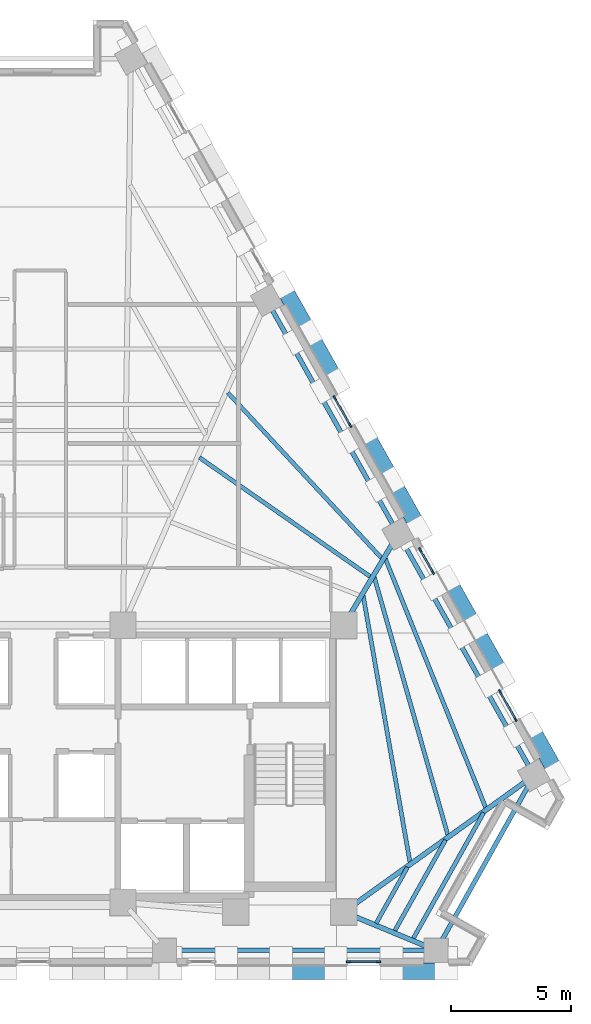
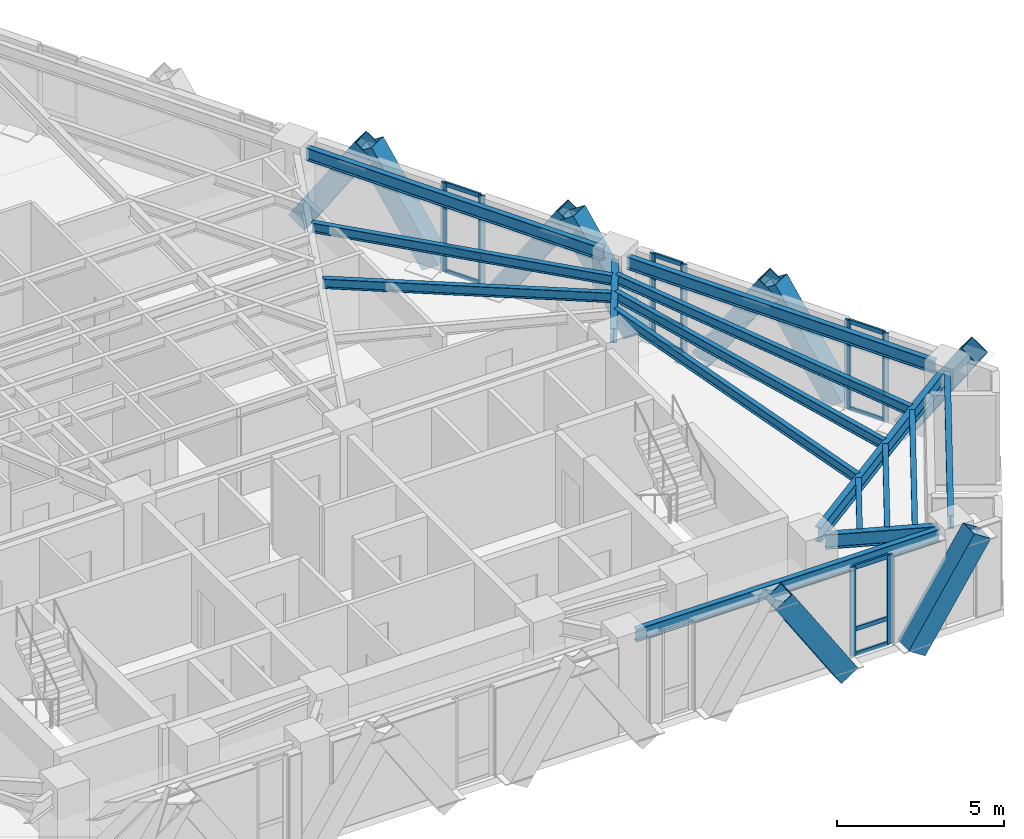
# One storey, part 4 of 13: 29 members, 15 beams, 4 elements without a shape of their own.
"""IFC4 building model written with IfcOpenShell, lengths in metres."""

import ifcopenshell
import ifcopenshell.guid

model = None  # the IFC model being written
_history = None  # IfcOwnerHistory: only IFC2X3 demands one
_inside = {}  # id of a spatial element -> (the spatial element, [elements in it])
_under = {}  # id of a project, library or spatial element -> (it, [spatial elements below it])
_declared = {}  # id of a project -> (the project, [libraries it declares])
_typed = {}  # id of a type object -> (the type object, [elements of that type])
_made_of = {}  # id of a material, layer set ... -> (it, [elements and type objects made of it])


def new_model(schema):
    """Start an empty IFC model of exactly this schema.

    Asked for "IFC4X3", IfcOpenShell would pick the latest addendum, in which some entities
    have other attributes; the version numbers below select the first issue.
    IFC2X3 requires an IfcOwnerHistory on every rooted entity: one is made here for all.
    """
    global model, _history
    if schema == "IFC4X3":
        model = ifcopenshell.file(schema_version=(4, 3, 0, 0))
    else:
        model = ifcopenshell.file(schema=schema)
    _inside.clear()
    _under.clear()
    _declared.clear()
    _typed.clear()
    _made_of.clear()
    _history = None
    if model.schema == "IFC2X3":
        org = make("IfcOrganization", Name="unknown")
        user = make(
            "IfcPersonAndOrganization",
            ThePerson=make("IfcPerson", FamilyName="unknown"),
            TheOrganization=org,
        )
        app = make(
            "IfcApplication",
            ApplicationDeveloper=org,
            Version="unknown",
            ApplicationFullName="unknown",
            ApplicationIdentifier="unknown",
        )
        _history = make(
            "IfcOwnerHistory",
            OwningUser=user,
            OwningApplication=app,
            ChangeAction="ADDED",
            CreationDate=0,
        )
    return model


def make(cls, **values):
    """One entity of the class cls with the attributes given. An attribute that is None is left unset."""
    return model.create_entity(
        cls, **{name: value for name, value in values.items() if value is not None}
    )


def rooted(cls, **values):
    """An entity with a GlobalId (a new one), such as an element, a storey or a relation."""
    return make(cls, GlobalId=ifcopenshell.guid.new(), OwnerHistory=_history, **values)


def si_unit(unit_type, name, prefix=None):
    """IfcSIUnit, for example si_unit("LENGTHUNIT", "METRE", prefix="MILLI")."""
    return make("IfcSIUnit", UnitType=unit_type, Prefix=prefix, Name=name)


def assignment(units):
    """IfcUnitAssignment: the units of a project."""
    return None if units is None else make("IfcUnitAssignment", Units=units)


def point(xyz):
    """IfcCartesianPoint."""
    return None if xyz is None else make("IfcCartesianPoint", Coordinates=xyz)


def direction(xyz):
    """IfcDirection."""
    return None if xyz is None else make("IfcDirection", DirectionRatios=xyz)


def frame(location, z_axis=None, x_axis=None):
    """IfcAxis2Placement3D, a coordinate frame: its origin and axes. An axis left out is left unset."""
    return make(
        "IfcAxis2Placement3D",
        Location=point(location),
        Axis=direction(z_axis),
        RefDirection=direction(x_axis),
    )


def frame_2d(location, x_axis=None):
    """IfcAxis2Placement2D, a coordinate frame in the plane: its origin and x axis."""
    return make(
        "IfcAxis2Placement2D", Location=point(location), RefDirection=direction(x_axis)
    )


def origin():
    """The frame at (0, 0, 0) with its axes left unset."""
    return frame((0.0, 0.0, 0.0))


def origin_2d():
    """The frame at (0, 0) in the plane with its x axis left unset."""
    return frame_2d((0.0, 0.0))


def place(relative_to, where):
    """IfcLocalPlacement: puts the frame where relative to a parent placement (None: the world)."""
    return make(
        "IfcLocalPlacement", PlacementRelTo=relative_to, RelativePlacement=where
    )


def context(
    kind, dimensions, precision=None, world=None, true_north=None, identifier=None
):
    """IfcGeometricRepresentationContext, for example the 3D "Model" context."""
    return make(
        "IfcGeometricRepresentationContext",
        ContextIdentifier=identifier,
        ContextType=kind,
        CoordinateSpaceDimension=dimensions,
        Precision=precision,
        WorldCoordinateSystem=world,
        TrueNorth=true_north,
    )


def subcontext(parent, identifier, kind, view, scale=None):
    """IfcGeometricRepresentationSubContext, for example "Body" below "Model"."""
    return make(
        "IfcGeometricRepresentationSubContext",
        ContextIdentifier=identifier,
        ContextType=kind,
        ParentContext=parent,
        TargetScale=scale,
        TargetView=view,
    )


def project(units=None, contexts=None):
    """IfcProject with its units and contexts."""
    return rooted(
        "IfcProject",
        Name="project",
        RepresentationContexts=contexts,
        UnitsInContext=assignment(units),
    )


def spatial(cls, under=None, at=None, **own):
    """A site, building, storey or space (cls), placed at a placement, below another one or the project."""
    s = rooted(cls, ObjectPlacement=at, **own)
    if under is not None:
        _under.setdefault(under.id(), (under, []))[1].append(s)
    return s


def profile(cls, at=None, kind="AREA", **sizes):
    """A parametric profile (cls). Its sizes go by their IFC names, for example OverallWidth=200.0."""
    return make(cls, ProfileType=kind, Position=at, **sizes)


def rectangle(**sizes):
    """IfcRectangleProfileDef."""
    return profile("IfcRectangleProfileDef", **sizes)


def hollow_rectangle(**sizes):
    """IfcRectangleHollowProfileDef."""
    return profile("IfcRectangleHollowProfileDef", **sizes)


def i_section(**sizes):
    """IfcIShapeProfileDef."""
    return profile("IfcIShapeProfileDef", **sizes)


def extrude(swept, where, along, depth):
    """IfcExtrudedAreaSolid: the profile swept, set in the frame where, extruded along a direction by depth."""
    return make(
        "IfcExtrudedAreaSolid",
        SweptArea=swept,
        Position=where,
        ExtrudedDirection=direction(along),
        Depth=depth,
    )


def shape(context_of_items, identifier, shape_type, items):
    """IfcShapeRepresentation: the items that make up one representation, for example the "Body"."""
    return make(
        "IfcShapeRepresentation",
        ContextOfItems=context_of_items,
        RepresentationIdentifier=identifier,
        RepresentationType=shape_type,
        Items=items,
    )


def material(Name=None, Category=None):
    """IfcMaterial."""
    return make("IfcMaterial", Name=Name, Category=Category)


def material_profile(
    of_material, cross_section, Name=None, Category=None, Priority=None
):
    """IfcMaterialProfile: a cross section and its material."""
    return make(
        "IfcMaterialProfile",
        Name=Name,
        Material=of_material,
        Profile=cross_section,
        Priority=Priority,
        Category=Category,
    )


def profile_set(profiles, Name=None, composite=None):
    """IfcMaterialProfileSet."""
    return make(
        "IfcMaterialProfileSet",
        Name=Name,
        MaterialProfiles=profiles,
        CompositeProfile=composite,
    )


def made_of(thing, what):
    """Note that an element or type object is made of a material, layer set ...; save() writes the relation."""
    if what is not None:
        _made_of.setdefault(what.id(), (what, []))[1].append(thing)
    return thing


def type_object(cls, material=None, **own):
    """A type object (cls), such as IfcWallType, which elements share."""
    return made_of(rooted(cls, **own), material)


def element(
    cls,
    number,
    at=None,
    inside=None,
    cuts=None,
    type_object=None,
    material=None,
    context=None,
    identifier="Body",
    shape_type=None,
    held_by="IfcProductDefinitionShape",
    body=None,
    shapes=None,
    **own,
):
    """One element of the class cls, such as IfcWall. Its Tag is "e" and its number.

    at: its placement. inside: the storey or other place that contains it. cuts: it is an
    opening in that element (IfcRelVoidsElement). A single representation is given by context,
    identifier, shape_type and body (its items); several are given by shapes. held_by: the class
    of the entity that holds the representations. save() writes the other relations.
    """
    e = rooted(cls, Tag="e%d" % number, ObjectPlacement=at, **own)
    if body is not None:
        shapes = [shape(context, identifier, shape_type, body)]
    if shapes is not None:
        e.Representation = make(held_by, Representations=shapes)
    if inside is not None:
        _inside.setdefault(inside.id(), (inside, []))[1].append(e)
    if cuts is not None:
        rooted(
            "IfcRelVoidsElement", RelatingBuildingElement=cuts, RelatedOpeningElement=e
        )
    if type_object is not None:
        _typed.setdefault(type_object.id(), (type_object, []))[1].append(e)
    return made_of(e, material)


def aggregate(whole, parts):
    """IfcRelAggregates: a whole, such as a stair, and the parts it consists of."""
    return rooted("IfcRelAggregates", RelatingObject=whole, RelatedObjects=parts)


def save(model, path):
    """Write the relations noted so far, then the file.

    IfcRelAggregates (storeys below a building ...), IfcRelContainedInSpatialStructure (elements
    in a storey), IfcRelDefinesByType, IfcRelAssociatesMaterial and IfcRelDeclares: one each for
    every whole, place, type object, material and project.
    """
    for whole, parts in _under.values():
        aggregate(whole, parts)
    for where, things in _inside.values():
        rooted(
            "IfcRelContainedInSpatialStructure",
            RelatedElements=things,
            RelatingStructure=where,
        )
    for kind, things in _typed.values():
        rooted("IfcRelDefinesByType", RelatedObjects=things, RelatingType=kind)
    for what, things in _made_of.values():
        rooted("IfcRelAssociatesMaterial", RelatedObjects=things, RelatingMaterial=what)
    for by, libraries in _declared.values():
        rooted("IfcRelDeclares", RelatingContext=by, RelatedDefinitions=libraries)
    model.write(path)


model = new_model("IFC4")

# Units and contexts
model_context = context("Model", 3, precision=1e-05, world=origin(), true_north=direction((0.0, 1.0)))
body_context = subcontext(model_context, "Body", "Model", "MODEL_VIEW")
ifc_project = project(units=[si_unit("LENGTHUNIT", "METRE"), si_unit("AREAUNIT", "SQUARE_METRE"), si_unit("VOLUMEUNIT", "CUBIC_METRE"), si_unit("PLANEANGLEUNIT", "RADIAN"), si_unit("MASSUNIT", "GRAM", prefix="KILO")], contexts=[model_context])

# Site, building, storey
site_placement = place(None, origin())
site = spatial("IfcSite", under=ifc_project, at=site_placement, CompositionType="ELEMENT")
building_placement = place(site_placement, origin())
building = spatial("IfcBuilding", under=site, at=building_placement, Name="Quenlor Broadcast Tower", CompositionType="ELEMENT")
storey_placement = place(building_placement, frame((0.0, 0.0, 147.5)))
storey = spatial("IfcBuildingStorey", under=building, at=storey_placement, Name="L40", CompositionType="ELEMENT", Elevation=147.5)

# Curtain wall, members
ifc_material_1 = material(Name="Architectural Terracotta and Low-E Glazing", Category="masonry")
curtain_wall_type = type_object("IfcCurtainWallType", Name="Unitised Terracotta Curtain Wall System Z3", PredefinedType="NOTDEFINED", material=ifc_material_1)
curtain_wall_1_placement = place(storey_placement, origin())
curtain_wall_1 = element("IfcCurtainWall", 1, at=curtain_wall_1_placement, inside=storey, type_object=curtain_wall_type, Name="L40 Curtain Wall CW3 (L40-SA-G1)", PredefinedType="NOTDEFINED")
ifc_material_2 = material(Name="Aluminium 6063-T6", Category="aluminium")
ifc_material_profile_1 = material_profile(ifc_material_2, rectangle(XDim=0.070068359375, YDim=0.18994140625, at=origin_2d()))
ifc_profile_set_1 = profile_set([ifc_material_profile_1], Name="Aluminium 6063-T6 MULL70x190")
member_type_1 = type_object("IfcMemberType", Name="CW3 Aluminium Mullion MULL_CW3", PredefinedType="MULLION", material=ifc_profile_set_1)
member_1_placement = place(storey_placement, frame((14.409912109375, -18.824951171875, 0.0), z_axis=(0.0, 0.0, 1.0), x_axis=(0.0, -1.0, 0.0)))
member_1 = element("IfcMember", 2, at=member_1_placement, type_object=member_type_1, Name="CW3 mullion 1", PredefinedType="MULLION", context=body_context, shape_type="SweptSolid", body=[
    extrude(rectangle(XDim=0.070068359375, YDim=0.18994140625, at=origin_2d()), origin(), (0.0, 0.0, 1.0), 3.25),
])
member_2_placement = place(storey_placement, frame((13.14208984375, -18.824951171875, 0.0), z_axis=(0.0, 0.0, 1.0), x_axis=(0.0, -1.0, 0.0)))
member_2 = element("IfcMember", 3, at=member_2_placement, type_object=member_type_1, Name="CW3 mullion 2", PredefinedType="MULLION", context=body_context, shape_type="SweptSolid", body=[
    extrude(rectangle(XDim=0.070068359375, YDim=0.18994140625, at=origin_2d()), origin(), (0.0, 0.0, 1.0), 3.25),
])

curtain_wall_2_placement = place(storey_placement, origin())
curtain_wall_2 = element("IfcCurtainWall", 4, at=curtain_wall_2_placement, inside=storey, type_object=curtain_wall_type, Name="L40 Curtain Wall CW3 (L40-NEC-G1)", PredefinedType="NOTDEFINED")
member_3_placement = place(storey_placement, frame((16.137939453125, -1.646728515625, 0.0), z_axis=(0.0, 0.0, 1.0), x_axis=(0.871580169247, 0.490253004657, 0.0)))
member_3 = element("IfcMember", 5, at=member_3_placement, type_object=member_type_1, Name="CW3 mullion 1", PredefinedType="MULLION", context=body_context, shape_type="SweptSolid", body=[
    extrude(rectangle(XDim=0.070068359375, YDim=0.18994140625, at=origin_2d()), origin(), (0.0, 0.0, 1.0), 3.25),
])
member_4_placement = place(storey_placement, frame((16.6689453125, -2.5908203125, 0.0), z_axis=(0.0, 0.0, 1.0), x_axis=(0.871580169247, 0.490253004657, 0.0)))
member_4 = element("IfcMember", 6, at=member_4_placement, type_object=member_type_1, Name="CW3 mullion 2", PredefinedType="MULLION", context=body_context, shape_type="SweptSolid", body=[
    extrude(rectangle(XDim=0.070068359375, YDim=0.18994140625, at=origin_2d()), origin(), (0.0, 0.0, 1.0), 3.25),
])

curtain_wall_3_placement = place(storey_placement, origin())
curtain_wall_3 = element("IfcCurtainWall", 7, at=curtain_wall_3_placement, inside=storey, type_object=curtain_wall_type, Name="L40 Curtain Wall CW3 (L40-NEC-G2)", PredefinedType="NOTDEFINED")
member_5_placement = place(storey_placement, frame((19.47021484375, -7.570556640625, 0.0), z_axis=(0.0, 0.0, 1.0), x_axis=(0.871575537123, 0.490261239636, 0.0)))
member_5 = element("IfcMember", 8, at=member_5_placement, type_object=member_type_1, Name="CW3 mullion 1", PredefinedType="MULLION", context=body_context, shape_type="SweptSolid", body=[
    extrude(rectangle(XDim=0.070068359375, YDim=0.18994140625, at=origin_2d()), origin(), (0.0, 0.0, 1.0), 3.25),
])
member_6_placement = place(storey_placement, frame((20.1171875, -8.720703125, 0.0), z_axis=(0.0, 0.0, 1.0), x_axis=(0.871575537123, 0.490261239636, 0.0)))
member_6 = element("IfcMember", 9, at=member_6_placement, type_object=member_type_1, Name="CW3 mullion 2", PredefinedType="MULLION", context=body_context, shape_type="SweptSolid", body=[
    extrude(rectangle(XDim=0.070068359375, YDim=0.18994140625, at=origin_2d()), origin(), (0.0, 0.0, 1.0), 3.25),
])

curtain_wall_4_placement = place(storey_placement, origin())
curtain_wall_4 = element("IfcCurtainWall", 10, at=curtain_wall_4_placement, inside=storey, type_object=curtain_wall_type, Name="L40 Curtain Wall CW3 (L40-NE-G1)", PredefinedType="NOTDEFINED")
member_7_placement = place(storey_placement, frame((12.573974609375, 4.689208984375, 0.0), z_axis=(0.0, 0.0, 1.0), x_axis=(0.871562085714, 0.490285152484, 0.0)))
member_7 = element("IfcMember", 11, at=member_7_placement, type_object=member_type_1, Name="CW3 mullion 1", PredefinedType="MULLION", context=body_context, shape_type="SweptSolid", body=[
    extrude(rectangle(XDim=0.070068359375, YDim=0.18994140625, at=origin_2d()), origin(), (0.0, 0.0, 1.0), 3.25),
])
member_8_placement = place(storey_placement, frame((13.220947265625, 3.5390625, 0.0), z_axis=(0.0, 0.0, 1.0), x_axis=(0.871562085714, 0.490285152484, 0.0)))
member_8 = element("IfcMember", 12, at=member_8_placement, type_object=member_type_1, Name="CW3 mullion 2", PredefinedType="MULLION", context=body_context, shape_type="SweptSolid", body=[
    extrude(rectangle(XDim=0.070068359375, YDim=0.18994140625, at=origin_2d()), origin(), (0.0, 0.0, 1.0), 3.25),
])

# Member
ifc_material_3 = material(Name="Aluminium 6063-T6", Category="aluminium")
ifc_material_profile_2 = material_profile(ifc_material_3, rectangle(XDim=0.070068359375, YDim=0.155029296875, at=origin_2d()))
ifc_profile_set_2 = profile_set([ifc_material_profile_2], Name="Aluminium 6063-T6 TRAN70x155")
member_type_2 = type_object("IfcMemberType", Name="CW3 Aluminium Transom TRAN_CW3", PredefinedType="USERDEFINED", material=ifc_profile_set_2)
member_9_placement = place(storey_placement, frame((14.375, -18.824951171875, 0.034912109375), z_axis=(-1.0, 0.0, 0.0), x_axis=(0.0, -1.0, 0.0)))
member_9 = element("IfcMember", 13, at=member_9_placement, type_object=member_type_2, Name="CW3 transom 1.1", ObjectType="TRANSOM", PredefinedType="USERDEFINED", context=body_context, shape_type="SweptSolid", body=[
    extrude(rectangle(XDim=0.070068359375, YDim=0.155029296875, at=origin_2d()), origin(), (0.0, 0.0, 1.0), 1.197998046875),
])

member_10_placement = place(storey_placement, frame((14.375, -18.824951171875, 0.949951171875), z_axis=(-1.0, 0.0, 0.0), x_axis=(0.0, -1.0, 0.0)))
member_10 = element("IfcMember", 14, at=member_10_placement, type_object=member_type_2, Name="CW3 transom 1.2", ObjectType="TRANSOM", PredefinedType="USERDEFINED", context=body_context, shape_type="SweptSolid", body=[
    extrude(rectangle(XDim=0.070068359375, YDim=0.155029296875, at=origin_2d()), origin(), (0.0, 0.0, 1.0), 1.197998046875),
])

member_11_placement = place(storey_placement, frame((14.375, -18.824951171875, 3.215087890625), z_axis=(-1.0, 0.0, 0.0), x_axis=(0.0, -1.0, 0.0)))
member_11 = element("IfcMember", 15, at=member_11_placement, type_object=member_type_2, Name="CW3 transom 1.3", ObjectType="TRANSOM", PredefinedType="USERDEFINED", context=body_context, shape_type="SweptSolid", body=[
    extrude(rectangle(XDim=0.070068359375, YDim=0.155029296875, at=origin_2d()), origin(), (0.0, 0.0, 1.0), 1.197998046875),
])

aggregate(curtain_wall_1, [member_1, member_2, member_9, member_10, member_11])

member_12_placement = place(storey_placement, frame((16.1552734375, -1.67724609375, 0.034912109375), z_axis=(0.49015826449, -0.871633452635, 0.0), x_axis=(0.871633452635, 0.49015826449, 0.0)))
member_12 = element("IfcMember", 16, at=member_12_placement, type_object=member_type_2, Name="CW3 transom 1.1", ObjectType="TRANSOM", PredefinedType="USERDEFINED", context=body_context, shape_type="SweptSolid", body=[
    extrude(rectangle(XDim=0.070068359375, YDim=0.155029296875, at=origin_2d()), origin(), (0.0, 0.0, 1.0), 1.01318359375),
])

member_13_placement = place(storey_placement, frame((16.1552734375, -1.67724609375, 0.949951171875), z_axis=(0.49015826449, -0.871633452635, 0.0), x_axis=(0.871633452635, 0.49015826449, 0.0)))
member_13 = element("IfcMember", 17, at=member_13_placement, type_object=member_type_2, Name="CW3 transom 1.2", ObjectType="TRANSOM", PredefinedType="USERDEFINED", context=body_context, shape_type="SweptSolid", body=[
    extrude(rectangle(XDim=0.070068359375, YDim=0.155029296875, at=origin_2d()), origin(), (0.0, 0.0, 1.0), 1.01318359375),
])

member_14_placement = place(storey_placement, frame((16.1552734375, -1.67724609375, 3.215087890625), z_axis=(0.49015826449, -0.871633452635, 0.0), x_axis=(0.871633452635, 0.49015826449, 0.0)))
member_14 = element("IfcMember", 18, at=member_14_placement, type_object=member_type_2, Name="CW3 transom 1.3", ObjectType="TRANSOM", PredefinedType="USERDEFINED", context=body_context, shape_type="SweptSolid", body=[
    extrude(rectangle(XDim=0.070068359375, YDim=0.155029296875, at=origin_2d()), origin(), (0.0, 0.0, 1.0), 1.01318359375),
])

aggregate(curtain_wall_2, [member_3, member_4, member_12, member_13, member_14])

member_15_placement = place(storey_placement, frame((19.4873046875, -7.60107421875, 0.034912109375), z_axis=(0.490363266059, -0.871518139398, 0.0), x_axis=(0.871518139398, 0.490363266059, 0.0)))
member_15 = element("IfcMember", 19, at=member_15_placement, type_object=member_type_2, Name="CW3 transom 1.1", ObjectType="TRANSOM", PredefinedType="USERDEFINED", context=body_context, shape_type="SweptSolid", body=[
    extrude(rectangle(XDim=0.070068359375, YDim=0.155029296875, at=origin_2d()), origin(), (0.0, 0.0, 1.0), 1.249755859375),
])

member_16_placement = place(storey_placement, frame((19.4873046875, -7.60107421875, 0.949951171875), z_axis=(0.490363266059, -0.871518139398, 0.0), x_axis=(0.871518139398, 0.490363266059, 0.0)))
member_16 = element("IfcMember", 20, at=member_16_placement, type_object=member_type_2, Name="CW3 transom 1.2", ObjectType="TRANSOM", PredefinedType="USERDEFINED", context=body_context, shape_type="SweptSolid", body=[
    extrude(rectangle(XDim=0.070068359375, YDim=0.155029296875, at=origin_2d()), origin(), (0.0, 0.0, 1.0), 1.249755859375),
])

member_17_placement = place(storey_placement, frame((19.4873046875, -7.60107421875, 3.215087890625), z_axis=(0.490363266059, -0.871518139398, 0.0), x_axis=(0.871518139398, 0.490363266059, 0.0)))
member_17 = element("IfcMember", 21, at=member_17_placement, type_object=member_type_2, Name="CW3 transom 1.3", ObjectType="TRANSOM", PredefinedType="USERDEFINED", context=body_context, shape_type="SweptSolid", body=[
    extrude(rectangle(XDim=0.070068359375, YDim=0.155029296875, at=origin_2d()), origin(), (0.0, 0.0, 1.0), 1.249755859375),
])

aggregate(curtain_wall_3, [member_5, member_6, member_15, member_16, member_17])

member_18_placement = place(storey_placement, frame((12.591064453125, 4.65869140625, 0.034912109375), z_axis=(0.490363266059, -0.871518139398, 0.0), x_axis=(0.871518139398, 0.490363266059, 0.0)))
member_18 = element("IfcMember", 22, at=member_18_placement, type_object=member_type_2, Name="CW3 transom 1.1", ObjectType="TRANSOM", PredefinedType="USERDEFINED", context=body_context, shape_type="SweptSolid", body=[
    extrude(rectangle(XDim=0.070068359375, YDim=0.155029296875, at=origin_2d()), origin(), (0.0, 0.0, 1.0), 1.249755859375),
])

member_19_placement = place(storey_placement, frame((12.591064453125, 4.65869140625, 0.949951171875), z_axis=(0.490363266059, -0.871518139398, 0.0), x_axis=(0.871518139398, 0.490363266059, 0.0)))
member_19 = element("IfcMember", 23, at=member_19_placement, type_object=member_type_2, Name="CW3 transom 1.2", ObjectType="TRANSOM", PredefinedType="USERDEFINED", context=body_context, shape_type="SweptSolid", body=[
    extrude(rectangle(XDim=0.070068359375, YDim=0.155029296875, at=origin_2d()), origin(), (0.0, 0.0, 1.0), 1.249755859375),
])

member_20_placement = place(storey_placement, frame((12.591064453125, 4.65869140625, 3.215087890625), z_axis=(0.490363266059, -0.871518139398, 0.0), x_axis=(0.871518139398, 0.490363266059, 0.0)))
member_20 = element("IfcMember", 24, at=member_20_placement, type_object=member_type_2, Name="CW3 transom 1.3", ObjectType="TRANSOM", PredefinedType="USERDEFINED", context=body_context, shape_type="SweptSolid", body=[
    extrude(rectangle(XDim=0.070068359375, YDim=0.155029296875, at=origin_2d()), origin(), (0.0, 0.0, 1.0), 1.249755859375),
])

aggregate(curtain_wall_4, [member_7, member_8, member_18, member_19, member_20])

# Members
ifc_material_4 = material(Name="Steel S355", Category="steel")
ifc_material_profile_3 = material_profile(ifc_material_4, hollow_rectangle(XDim=0.679931640625, YDim=0.679931640625, WallThickness=0.02490234375, at=origin_2d()))
ifc_profile_set_3 = profile_set([ifc_material_profile_3], Name="Steel S355 RHS680x680x25")
member_type_3 = type_object("IfcMemberType", Name="Perimeter Diagonal Lattice Brace Z3-Z4 Steel S355 RHS680x25", PredefinedType="BRACE", material=ifc_profile_set_3)
for number, where, z_axis, x_axis, name in (
    (25, (12.6142578125, -19.219970703125, -0.1201171875), (-0.543901560697, 0.0, 0.839149028643), (0.0, -1.0, 0.0), "L40 Perimeter Diamond Lattice S-C1S"),
    (26, (14.937744140625, -19.219970703125, -0.1201171875), (0.543901560697, 0.0, 0.839149028643), (0.0, 1.0, 0.0), "L40 Perimeter Diamond Lattice S-C1B"),
):
    element("IfcMember", number, at=place(storey_placement, frame(where, z_axis=z_axis, x_axis=x_axis)), inside=storey, type_object=member_type_3, Name=name, PredefinedType="BRACE", context=body_context, shape_type="SweptSolid", body=[
        extrude(hollow_rectangle(XDim=0.679931640625, YDim=0.679931640625, WallThickness=0.02490234375, at=origin_2d()), origin(), (0.0, 0.0, 1.0), 4.1708984375),
    ])
for number, where, z_axis, x_axis, name in (
    (27, (10.375244140625, 9.40380859375, -0.1201171875), (0.2705491942, -0.481008661973, 0.833926735766), (0.871589611547, 0.490236217596, 0.0), "L40 Perimeter Diamond Lattice NE-C2S"),
    (28, (13.823486328125, 3.27392578125, -0.1201171875), (0.2705491942, -0.481008661973, 0.833926735766), (0.871589611547, 0.490236217596, 0.0), "L40 Perimeter Diamond Lattice NE-C3S"),
    (29, (12.66015625, 5.341796875, -0.1201171875), (-0.2705491942, 0.481008661973, 0.833926735766), (-0.871589611547, -0.490236217596, 0.0), "L40 Perimeter Diamond Lattice NE-C3B"),
    (30, (17.271484375, -2.85595703125, -0.1201171875), (0.2705491942, -0.481008661973, 0.833926735766), (0.871589611547, 0.490236217596, 0.0), "L40 Perimeter Diamond Lattice NE-C4S"),
    (31, (16.1083984375, -0.7880859375, -0.1201171875), (-0.27060310517, 0.481001091283, 0.833913610428), (-0.871544572467, -0.490316283845, 0.0), "L40 Perimeter Diamond Lattice NE-C4B"),
    (32, (20.719482421875, -8.98583984375, -0.1201171875), (0.2705491942, -0.481008661973, 0.833926735766), (0.871589611547, 0.490236217596, 0.0), "L40 Perimeter Diamond Lattice NE-C5S"),
    (33, (19.556396484375, -6.918212890625, -0.1201171875), (-0.2705491942, 0.481008661973, 0.833926735766), (-0.871589611547, -0.490236217596, 0.0), "L40 Perimeter Diamond Lattice NE-C5B"),
):
    element("IfcMember", number, at=place(storey_placement, frame(where, z_axis=z_axis, x_axis=x_axis)), inside=storey, type_object=member_type_3, Name=name, PredefinedType="BRACE", context=body_context, shape_type="SweptSolid", body=[
        extrude(hollow_rectangle(XDim=0.679931640625, YDim=0.679931640625, WallThickness=0.02490234375, at=origin_2d()), origin(), (0.0, 0.0, 1.0), 4.197021484375),
    ])

# Beams
ifc_material_5 = material(Name="Steel S355", Category="steel")
ifc_material_profile_4 = material_profile(ifc_material_5, i_section(OverallWidth=0.19091796875, OverallDepth=0.46044921875, WebThickness=0.010009765625, FlangeThickness=0.01611328125, FilletRadius=0.011474609375, at=origin_2d()))
ifc_profile_set_4 = profile_set([ifc_material_profile_4], Name="Steel S355 460UB82.1")
beam_type_1 = type_object("IfcBeamType", Name="Perimeter Spandrel Beam Z3 Steel S355 460UB82.1", PredefinedType="SPANDREL", material=ifc_profile_set_4)
beam_1_placement = place(storey_placement, frame((5.89111328125, -18.35009765625, 3.019775390625), z_axis=(1.0, 0.0, 0.0), x_axis=(0.0, 1.0, 0.0)))
element("IfcBeam", 34, at=beam_1_placement, inside=storey, type_object=beam_type_1, Name="L40 Spandrel Beam S3-S4", PredefinedType="SPANDREL", context=body_context, shape_type="SweptSolid", body=[
    extrude(i_section(OverallWidth=0.19091796875, OverallDepth=0.46044921875, WebThickness=0.010009765625, FlangeThickness=0.01611328125, FilletRadius=0.011474609375, at=origin_2d()), origin(), (0.0, 0.0, 1.0), 10.50732421875),
])
beam_2_placement = place(storey_placement, frame((17.008544921875, -17.9921875, 3.019775390625), z_axis=(0.488298439934, 0.872676706208, 0.0), x_axis=(-0.872676706208, 0.488298439934, 0.0)))
element("IfcBeam", 35, at=beam_2_placement, inside=storey, type_object=beam_type_1, Name="L40 Spandrel Beam S4-NE1", PredefinedType="SPANDREL", context=body_context, shape_type="SweptSolid", body=[
    extrude(i_section(OverallWidth=0.19091796875, OverallDepth=0.46044921875, WebThickness=0.010009765625, FlangeThickness=0.01611328125, FilletRadius=0.011474609375, at=origin_2d()), origin(), (0.0, 0.0, 1.0), 7.5341796875),
])
beam_3_placement = place(storey_placement, frame((20.686767578125, -10.7021484375, 3.019775390625), z_axis=(-0.490257999604, 0.871577359633, 0.0), x_axis=(-0.871577359633, -0.490257999604, 0.0)))
element("IfcBeam", 36, at=beam_3_placement, inside=storey, type_object=beam_type_1, Name="L40 Spandrel Beam NE1-NE2", PredefinedType="SPANDREL", context=body_context, shape_type="SweptSolid", body=[
    extrude(i_section(OverallWidth=0.19091796875, OverallDepth=0.46044921875, WebThickness=0.010009765625, FlangeThickness=0.01611328125, FilletRadius=0.011474609375, at=origin_2d()), origin(), (0.0, 0.0, 1.0), 10.732666015625),
])
beam_4_placement = place(storey_placement, frame((15.02294921875, -0.63330078125, 3.019775390625), z_axis=(-0.490252288562, 0.871580572041, 0.0), x_axis=(-0.871580572041, -0.490252288562, 0.0)))
element("IfcBeam", 37, at=beam_4_placement, inside=storey, type_object=beam_type_1, Name="L40 Spandrel Beam NE2-NE3", PredefinedType="SPANDREL", context=body_context, shape_type="SweptSolid", body=[
    extrude(i_section(OverallWidth=0.19091796875, OverallDepth=0.46044921875, WebThickness=0.010009765625, FlangeThickness=0.01611328125, FilletRadius=0.011474609375, at=origin_2d()), origin(), (0.0, 0.0, 1.0), 10.359619140625),
])
ifc_material_6 = material(Name="Steel S355", Category="steel")
ifc_material_profile_5 = material_profile(ifc_material_6, i_section(OverallWidth=0.172119140625, OverallDepth=0.358642578125, WebThickness=0.008056640625, FlangeThickness=0.012939453125, FilletRadius=0.011474609375, at=origin_2d()))
ifc_profile_set_5 = profile_set([ifc_material_profile_5], Name="Steel S355 360UB56.7")
beam_type_2 = type_object("IfcBeamType", Name="Tower Composite Joist Z2-Z3 Steel S355 360UB56.7", PredefinedType="JOIST", material=ifc_profile_set_5)
beam_5_placement = place(storey_placement, frame((14.06689453125, -2.7734375, 3.07080078125), z_axis=(-0.82026568394, 0.57198269882, 0.0), x_axis=(-0.57198269882, -0.82026568394, 0.0)))
element("IfcBeam", 38, at=beam_5_placement, inside=storey, type_object=beam_type_2, Name="L40 Secondary Composite Joist 11", PredefinedType="JOIST", context=body_context, shape_type="SweptSolid", body=[
    extrude(i_section(OverallWidth=0.172119140625, OverallDepth=0.358642578125, WebThickness=0.008056640625, FlangeThickness=0.012939453125, FilletRadius=0.011474609375, at=origin_2d()), origin(), (0.0, 0.0, 1.0), 8.698486328125),
])
beam_6_placement = place(storey_placement, frame((14.53271484375, -1.998779296875, 3.07080078125), z_axis=(-0.680873505991, 0.732401030065, 0.0), x_axis=(-0.732401030065, -0.680873505991, 0.0)))
element("IfcBeam", 39, at=beam_6_placement, inside=storey, type_object=beam_type_2, Name="L40 Secondary Composite Joist 12", PredefinedType="JOIST", context=body_context, shape_type="SweptSolid", body=[
    extrude(i_section(OverallWidth=0.172119140625, OverallDepth=0.358642578125, WebThickness=0.008056640625, FlangeThickness=0.012939453125, FilletRadius=0.011474609375, at=origin_2d()), origin(), (0.0, 0.0, 1.0), 9.419189453125),
])
beam_7_placement = place(storey_placement, frame((15.71435546875, -14.679443359375, 3.07080078125), z_axis=(-0.172906811417, 0.984938188195, 0.0), x_axis=(-0.984938188195, -0.172906811417, 0.0)))
element("IfcBeam", 40, at=beam_7_placement, inside=storey, type_object=beam_type_2, Name="L40 Secondary Composite Joist 16", PredefinedType="JOIST", context=body_context, shape_type="SweptSolid", body=[
    extrude(i_section(OverallWidth=0.172119140625, OverallDepth=0.358642578125, WebThickness=0.008056640625, FlangeThickness=0.012939453125, FilletRadius=0.011474609375, at=origin_2d()), origin(), (0.0, 0.0, 1.0), 11.30419921875),
])
beam_8_placement = place(storey_placement, frame((17.293701171875, -13.543212890625, 3.07080078125), z_axis=(-0.274418577045, 0.961610339261, 0.0), x_axis=(-0.961610339261, -0.274418577045, 0.0)))
element("IfcBeam", 41, at=beam_8_placement, inside=storey, type_object=beam_type_2, Name="L40 Secondary Composite Joist 17", PredefinedType="JOIST", context=body_context, shape_type="SweptSolid", body=[
    extrude(i_section(OverallWidth=0.172119140625, OverallDepth=0.358642578125, WebThickness=0.008056640625, FlangeThickness=0.012939453125, FilletRadius=0.011474609375, at=origin_2d()), origin(), (0.0, 0.0, 1.0), 11.191162109375),
])
beam_9_placement = place(storey_placement, frame((18.873291015625, -12.407958984375, 3.07080078125), z_axis=(-0.373824118901, 0.927499610851, 0.0), x_axis=(-0.927499610851, -0.373824118901, 0.0)))
element("IfcBeam", 42, at=beam_9_placement, inside=storey, type_object=beam_type_2, Name="L40 Secondary Composite Joist 18", PredefinedType="JOIST", context=body_context, shape_type="SweptSolid", body=[
    extrude(i_section(OverallWidth=0.172119140625, OverallDepth=0.358642578125, WebThickness=0.008056640625, FlangeThickness=0.012939453125, FilletRadius=0.011474609375, at=origin_2d()), origin(), (0.0, 0.0, 1.0), 11.203125),
])
beam_10_placement = place(storey_placement, frame((14.30078125, -17.22412109375, 3.07080078125), z_axis=(0.488370382241, 0.87263644764, 0.0), x_axis=(-0.87263644764, 0.488370382241, 0.0)))
element("IfcBeam", 43, at=beam_10_placement, inside=storey, type_object=beam_type_2, Name="L40 Secondary Composite Joist 22", PredefinedType="JOIST", context=body_context, shape_type="SweptSolid", body=[
    extrude(i_section(OverallWidth=0.172119140625, OverallDepth=0.358642578125, WebThickness=0.008056640625, FlangeThickness=0.012939453125, FilletRadius=0.011474609375, at=origin_2d()), origin(), (0.0, 0.0, 1.0), 2.680419921875),
])
beam_11_placement = place(storey_placement, frame((15.072509765625, -17.544189453125, 3.07080078125), z_axis=(0.488294103756, 0.872679132463, 0.0), x_axis=(-0.872679132463, 0.488294103756, 0.0)))
element("IfcBeam", 44, at=beam_11_placement, inside=storey, type_object=beam_type_2, Name="L40 Secondary Composite Joist 23", PredefinedType="JOIST", context=body_context, shape_type="SweptSolid", body=[
    extrude(i_section(OverallWidth=0.172119140625, OverallDepth=0.358642578125, WebThickness=0.008056640625, FlangeThickness=0.012939453125, FilletRadius=0.011474609375, at=origin_2d()), origin(), (0.0, 0.0, 1.0), 4.351318359375),
])
beam_12_placement = place(storey_placement, frame((15.84423828125, -17.8642578125, 3.07080078125), z_axis=(0.488308300212, 0.872671188905, 0.0), x_axis=(-0.872671188905, 0.488308300212, 0.0)))
element("IfcBeam", 45, at=beam_12_placement, inside=storey, type_object=beam_type_2, Name="L40 Secondary Composite Joist 24", PredefinedType="JOIST", context=body_context, shape_type="SweptSolid", body=[
    extrude(i_section(OverallWidth=0.172119140625, OverallDepth=0.358642578125, WebThickness=0.008056640625, FlangeThickness=0.012939453125, FilletRadius=0.011474609375, at=origin_2d()), origin(), (0.0, 0.0, 1.0), 6.022216796875),
])
ifc_material_7 = material(Name="Steel S355", Category="steel")
ifc_material_profile_6 = material_profile(ifc_material_7, i_section(OverallWidth=0.208984375, OverallDepth=0.532958984375, WebThickness=0.01025390625, FlangeThickness=0.015625, FilletRadius=0.013916015625, at=origin_2d()))
ifc_profile_set_6 = profile_set([ifc_material_profile_6], Name="Steel S355 530UB92.4")
beam_type_3 = type_object("IfcBeamType", Name="Tower Primary Floor Beam Z3 Steel S355 530UB92.4", PredefinedType="BEAM", material=ifc_profile_set_6)
beam_13_placement = place(storey_placement, frame((16.4296875, -18.19287109375, 2.9833984375), z_axis=(-0.923730294618, 0.383043525993, 0.0), x_axis=(-0.383043525993, -0.923730294618, 0.0)))
element("IfcBeam", 46, at=beam_13_placement, inside=storey, type_object=beam_type_3, Name="L40 Primary Radial Beam S4", PredefinedType="BEAM", context=body_context, shape_type="SweptSolid", body=[
    extrude(i_section(OverallWidth=0.208984375, OverallDepth=0.532958984375, WebThickness=0.01025390625, FlangeThickness=0.015625, FilletRadius=0.013916015625, at=origin_2d()), origin(), (0.0, 0.0, 1.0), 3.386962890625),
])
beam_14_placement = place(storey_placement, frame((20.554443359375, -11.29833984375, 2.9833984375), z_axis=(-0.812728908832, -0.582642017666, 0.0), x_axis=(0.582642017666, -0.812728908832, 0.0)))
element("IfcBeam", 47, at=beam_14_placement, inside=storey, type_object=beam_type_3, Name="L40 Primary Radial Beam NE1", PredefinedType="BEAM", context=body_context, shape_type="SweptSolid", body=[
    extrude(i_section(OverallWidth=0.208984375, OverallDepth=0.532958984375, WebThickness=0.01025390625, FlangeThickness=0.015625, FilletRadius=0.013916015625, at=origin_2d()), origin(), (0.0, 0.0, 1.0), 8.976806640625),
])
beam_15_placement = place(storey_placement, frame((15.013916015625, -1.3427734375, 2.9833984375), z_axis=(-0.512604023694, -0.858625130597, 0.0), x_axis=(0.858625130597, -0.512604023694, 0.0)))
element("IfcBeam", 48, at=beam_15_placement, inside=storey, type_object=beam_type_3, Name="L40 Primary Radial Beam NE2", PredefinedType="BEAM", context=body_context, shape_type="SweptSolid", body=[
    extrude(i_section(OverallWidth=0.208984375, OverallDepth=0.532958984375, WebThickness=0.01025390625, FlangeThickness=0.015625, FilletRadius=0.013916015625, at=origin_2d()), origin(), (0.0, 0.0, 1.0), 3.646484375),
])

save(model, "model.ifc")
